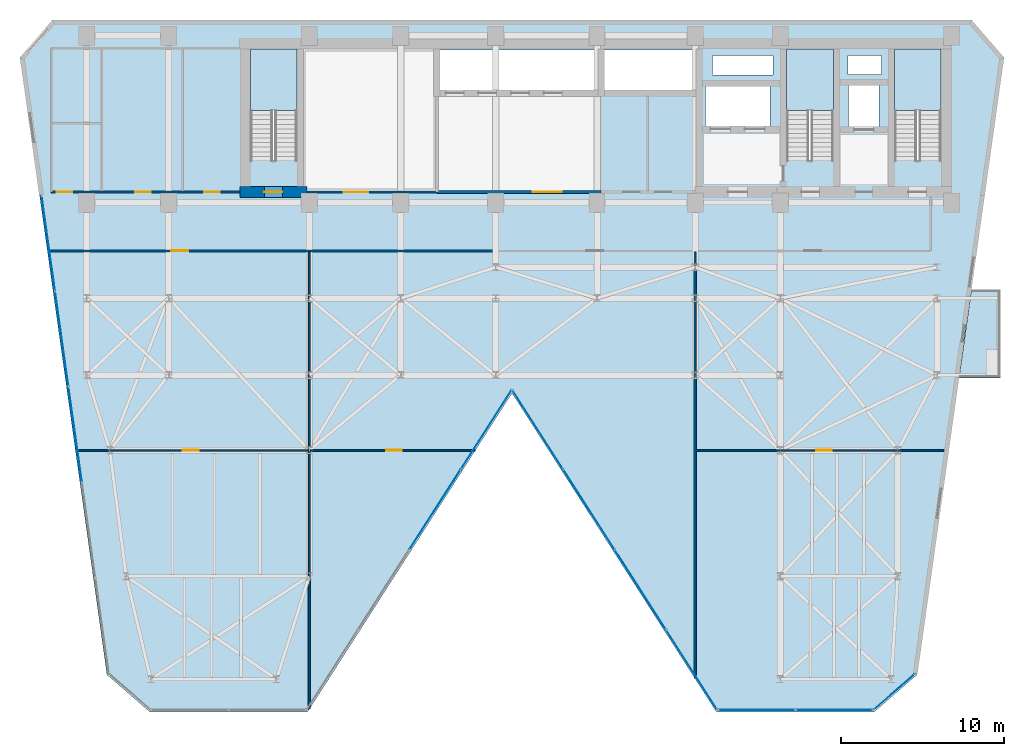
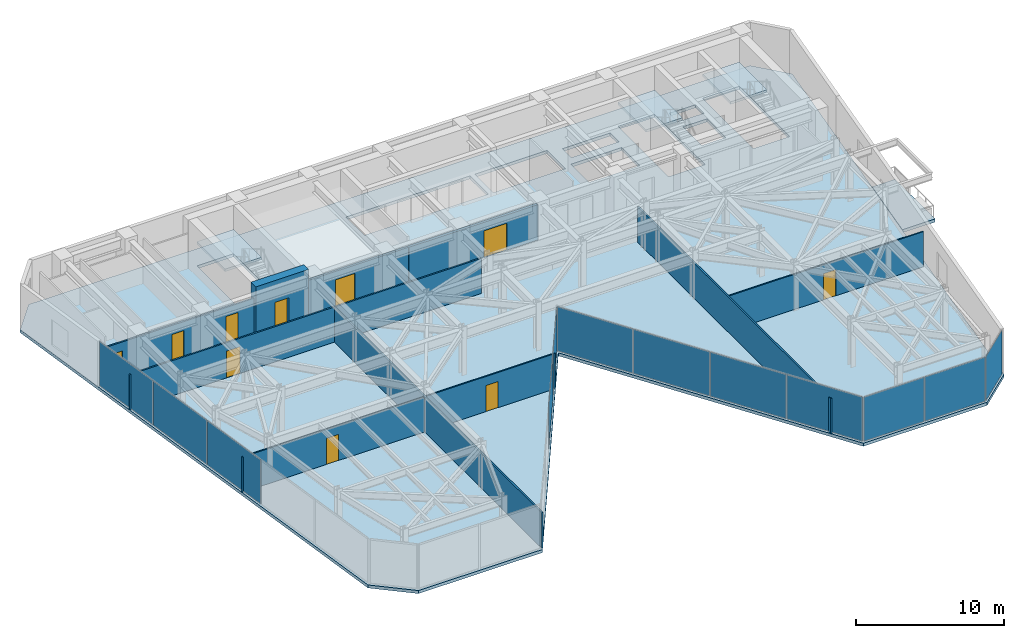
# One storey, part 21 of 26: 12 plates, 10 doors, 10 walls, 5 slabs, 10 openings, 8 elements without a shape of their own.
"""IFC4 building model written with IfcOpenShell, lengths in metres."""

from ifc_helpers import new_model, si_unit, direction, frame, frame_2d, origin, origin_2d, place, context, subcontext, project, spatial, polyline, rectangle, outline, extrude, material, layer, layer_set, type_object, element, fill, aggregate, save


model = new_model("IFC4")

# Units and contexts
model_context = context("Model", 3, precision=1e-05, world=origin(), true_north=direction((0.0, 1.0)))
body_context = subcontext(model_context, "Body", "Model", "MODEL_VIEW")
ifc_project = project(units=[si_unit("LENGTHUNIT", "METRE"), si_unit("AREAUNIT", "SQUARE_METRE"), si_unit("VOLUMEUNIT", "CUBIC_METRE"), si_unit("PLANEANGLEUNIT", "RADIAN"), si_unit("MASSUNIT", "GRAM", prefix="KILO")], contexts=[model_context])

# Site, building, storey
site_placement = place(None, origin())
site = spatial("IfcSite", under=ifc_project, at=site_placement, CompositionType="ELEMENT")
building_placement = place(site_placement, origin())
building = spatial("IfcBuilding", under=site, at=building_placement, Name="Kravanh Interchange Tower", CompositionType="ELEMENT")
storey_placement = place(building_placement, frame((0.0, 0.0, 144.0)))
storey = spatial("IfcBuildingStorey", under=building, at=storey_placement, Name="L34", CompositionType="ELEMENT", Elevation=144.0)

# Slab
ifc_material_1 = material(Name="Concrete C50/60", Category="concrete")
ifc_layer_1 = layer(ifc_material_1, 0.25)
ifc_layer_set_1 = layer_set([ifc_layer_1], Name="Composite Floor Slab Concrete C50/60 250mm")
slab_type_1 = type_object("IfcSlabType", Name="Composite Floor Slab Concrete C50/60 250mm", PredefinedType="FLOOR", material=ifc_layer_set_1)
slab_1_placement = place(storey_placement, frame((0.0, 0.0, -0.25)))
element("IfcSlab", 1, at=slab_1_placement, inside=storey, type_object=slab_type_1, Name="L34 Structural Floor Slab", PredefinedType="FLOOR", context=body_context, shape_type="SweptSolid", body=[
    extrude(outline(polyline([(14.82470703125, 8.4775390625), (17.44482421875, 6.199951171875), (27.10009765625, 6.199951171875), (39.60009765625, 25.699951171875), (52.10009765625, 6.199951171875), (61.755126953125, 6.199951171875), (64.375244140625, 8.4775390625), (69.679931640625, 46.222412109375), (67.699951171875, 48.5), (11.5, 48.5), (9.52001953125, 46.222412109375), (14.82470703125, 8.4775390625)]), holes=[polyline([(65.85009765625, 39.925048828125), (65.85009765625, 46.75), (63.0, 46.75), (63.0, 39.925048828125), (65.85009765625, 39.925048828125)]), polyline([(59.25, 39.925048828125), (59.25, 46.75), (56.39990234375, 46.75), (56.39990234375, 39.925048828125), (59.25, 39.925048828125)]), polyline([(26.449951171875, 39.925048828125), (26.449951171875, 46.75), (23.60009765625, 46.75), (23.60009765625, 39.925048828125), (26.449951171875, 39.925048828125)]), polyline([(35.179931640625, 44.219970703125), (44.840087890625, 44.219970703125), (44.840087890625, 46.699951171875), (35.179931640625, 46.699951171875), (35.179931640625, 44.219970703125)]), polyline([(45.239990234375, 44.219970703125), (50.840087890625, 44.219970703125), (50.840087890625, 46.699951171875), (45.239990234375, 46.699951171875), (45.239990234375, 44.219970703125)]), polyline([(51.419921875, 42.02001953125), (55.3798828125, 42.02001953125), (55.3798828125, 44.47998046875), (51.419921875, 44.47998046875), (51.419921875, 42.02001953125)]), polyline([(60.179931640625, 41.97998046875), (62.06005859375, 41.97998046875), (62.06005859375, 44.52001953125), (60.179931640625, 44.52001953125), (60.179931640625, 41.97998046875)]), polyline([(60.14990234375, 45.199951171875), (62.199951171875, 45.199951171875), (62.199951171875, 46.35009765625), (60.14990234375, 46.35009765625), (60.14990234375, 45.199951171875)]), polyline([(51.85009765625, 45.14990234375), (55.550048828125, 45.14990234375), (55.550048828125, 46.35009765625), (51.85009765625, 46.35009765625), (51.85009765625, 45.14990234375)])]), origin(), (0.0, 0.0, 1.0), 0.25),
])

# Stair, slab
ifc_material_2 = material(Name="Concrete C50/60", Category="concrete")
stair_type = type_object("IfcStairType", Name="Core Fire Exit Dogleg Stair Concrete C50/60", PredefinedType="HALF_TURN_STAIR", material=ifc_material_2)
stair_1_placement = place(storey_placement, origin())
stair_1 = element("IfcStair", 2, at=stair_1_placement, inside=storey, type_object=stair_type, Name="L34 Exit Stair ST1", PredefinedType="HALF_TURN_STAIR")
ifc_material_3 = material(Name="Concrete C50/60", Category="concrete")
ifc_layer_2 = layer(ifc_material_3, 0.199951171875)
ifc_layer_set_2 = layer_set([ifc_layer_2], Name="Concrete C50/60 Stair Half-Landing Slab 200mm")
slab_type_2 = type_object("IfcSlabType", Name="Concrete C50/60 Stair Half-Landing Slab 200mm", PredefinedType="LANDING", material=ifc_layer_set_2)
slab_2_placement = place(storey_placement, frame((0.0, 0.0, 1.800048828125)))
slab_2 = element("IfcSlab", 3, at=slab_2_placement, type_object=slab_type_2, Name="ST1 landing 1", PredefinedType="LANDING", context=body_context, shape_type="SweptSolid", body=[
    extrude(outline(polyline([(65.85009765625, 42.97998046875), (65.85009765625, 46.75), (63.0, 46.75), (63.0, 42.97998046875), (65.85009765625, 42.97998046875)])), origin(), (0.0, 0.0, 1.0), 0.199951171875),
])
aggregate(stair_1, [slab_2])

stair_2_placement = place(storey_placement, origin())
stair_2 = element("IfcStair", 4, at=stair_2_placement, inside=storey, type_object=stair_type, Name="L34 Exit Stair ST2", PredefinedType="HALF_TURN_STAIR")
slab_3_placement = place(storey_placement, frame((0.0, 0.0, 1.800048828125)))
slab_3 = element("IfcSlab", 5, at=slab_3_placement, type_object=slab_type_2, Name="ST2 landing 1", PredefinedType="LANDING", context=body_context, shape_type="SweptSolid", body=[
    extrude(outline(polyline([(59.25, 42.97998046875), (59.25, 46.75), (56.39990234375, 46.75), (56.39990234375, 42.97998046875), (59.25, 42.97998046875)])), origin(), (0.0, 0.0, 1.0), 0.199951171875),
])
aggregate(stair_2, [slab_3])

stair_3_placement = place(storey_placement, origin())
stair_3 = element("IfcStair", 6, at=stair_3_placement, inside=storey, type_object=stair_type, Name="L34 Exit Stair ST3", PredefinedType="HALF_TURN_STAIR")
slab_4_placement = place(storey_placement, frame((0.0, 0.0, 1.800048828125)))
slab_4 = element("IfcSlab", 7, at=slab_4_placement, type_object=slab_type_2, Name="ST3 landing 1", PredefinedType="LANDING", context=body_context, shape_type="SweptSolid", body=[
    extrude(outline(polyline([(26.449951171875, 42.97998046875), (26.449951171875, 46.75), (23.60009765625, 46.75), (23.60009765625, 42.97998046875), (26.449951171875, 42.97998046875)])), origin(), (0.0, 0.0, 1.0), 0.199951171875),
])
aggregate(stair_3, [slab_4])

# Slab
ifc_material_4 = material(Name="Concrete C50/60", Category="concrete")
ifc_layer_3 = layer(ifc_material_4, 0.199951171875)
ifc_layer_set_3 = layer_set([ifc_layer_3], Name="Planted Tree Balcony Slab Concrete C50/60 200mm")
slab_type_3 = type_object("IfcSlabType", Name="Planted Tree Balcony Slab Concrete C50/60 200mm", PredefinedType="USERDEFINED", material=ifc_layer_set_3)
slab_5_placement = place(storey_placement, frame((0.0, 0.0, -0.25)))
element("IfcSlab", 8, at=slab_5_placement, inside=storey, type_object=slab_type_3, Name="L34 East Tree Planter Balcony Slab", ObjectType="BALCONY", PredefinedType="USERDEFINED", context=body_context, shape_type="SweptSolid", body=[
    extrude(outline(polyline([(69.489990234375, 32.030029296875), (69.489990234375, 26.6298828125), (66.94140625, 26.6298828125), (67.700439453125, 32.030029296875), (69.489990234375, 32.030029296875)])), origin(), (0.0, 0.0, 1.0), 0.25),
])

# Curtain wall, plates
ifc_material_5 = material(Name="Anodised Bronze Aluminium", Category="aluminium")
ifc_layer_4 = layer(ifc_material_5, 0.179931640625)
ifc_layer_set_4 = layer_set([ifc_layer_4], Name="Unitised Curtain Wall System CW-Z2 Mid Office")
curtain_wall_type = type_object("IfcCurtainWallType", Name="Unitised Curtain Wall System CW-Z2 Mid Office", PredefinedType="NOTDEFINED", material=ifc_layer_set_4)
curtain_wall_1_placement = place(storey_placement, origin())
curtain_wall_1 = element("IfcCurtainWall", 9, at=curtain_wall_1_placement, inside=storey, type_object=curtain_wall_type, Name="L34 Unitised Curtain Wall CW-L34-01", PredefinedType="NOTDEFINED")
ifc_material_6 = material(Name="Low-E Laminated Architectural Glass", Category="glass")
ifc_layer_5 = layer(ifc_material_6, 0.02587890625)
ifc_layer_set_5 = layer_set([ifc_layer_5], Name="Solar-Control Double Glazing 26mm")
plate_type = type_object("IfcPlateType", Name="Solar-Control Double Glazing 26mm", PredefinedType="CURTAIN_PANEL", material=ifc_layer_set_5)
plate_1_placement = place(storey_placement, frame((12.881103515625, 23.16943359375, 0.06005859375), z_axis=(0.0, 0.0, 1.0), x_axis=(-0.13917285118, 0.990268103846, 0.0)))
plate_1 = element("IfcPlate", 10, at=plate_1_placement, type_object=plate_type, Name="CW-Z2 panel 3.1", PredefinedType="CURTAIN_PANEL", context=body_context, shape_type="SweptSolid", body=[
    extrude(rectangle(XDim=5.849853515625, YDim=0.02587890625, at=origin_2d()), origin(), (0.0, 0.0, 1.0), 3.6298828125),
])
plate_2_placement = place(storey_placement, frame((12.058837890625, 29.021728515625, 0.06005859375), z_axis=(0.0, 0.0, 1.0), x_axis=(-0.13917285118, 0.990268103846, 0.0)))
plate_2 = element("IfcPlate", 11, at=plate_2_placement, type_object=plate_type, Name="CW-Z2 panel 4.1", PredefinedType="CURTAIN_PANEL", context=body_context, shape_type="SweptSolid", body=[
    extrude(rectangle(XDim=5.849853515625, YDim=0.02587890625, at=origin_2d()), origin(), (0.0, 0.0, 1.0), 3.6298828125),
])
plate_3_placement = place(storey_placement, frame((11.23828125, 34.859130859375, 0.06005859375), z_axis=(0.0, 0.0, 1.0), x_axis=(-0.13917285118, 0.990268103846, 0.0)))
plate_3 = element("IfcPlate", 12, at=plate_3_placement, type_object=plate_type, Name="CW-Z2 panel 5.1", PredefinedType="CURTAIN_PANEL", context=body_context, shape_type="SweptSolid", body=[
    extrude(rectangle(XDim=5.81982421875, YDim=0.02587890625, at=origin_2d()), origin(), (0.0, 0.0, 1.0), 3.6298828125),
])
aggregate(curtain_wall_1, [plate_1, plate_2, plate_3])

# Curtain wall, plate
curtain_wall_2_placement = place(storey_placement, origin())
curtain_wall_2 = element("IfcCurtainWall", 13, at=curtain_wall_2_placement, inside=storey, type_object=curtain_wall_type, Name="L34 Unitised Curtain Wall CW-L34-02", PredefinedType="NOTDEFINED")
plate_4_placement = place(storey_placement, frame((62.986328125, 7.429443359375, 0.06005859375), z_axis=(0.0, 0.0, 1.0), x_axis=(-0.754719458103, -0.656047665617, 0.0)))
plate_4 = element("IfcPlate", 14, at=plate_4_placement, type_object=plate_type, Name="CW-Z2 panel 1.1", PredefinedType="CURTAIN_PANEL", context=body_context, shape_type="SweptSolid", body=[
    extrude(rectangle(XDim=3.261962890625, YDim=0.02587890625, at=origin_2d()), origin(), (0.0, 0.0, 1.0), 3.6298828125),
])
aggregate(curtain_wall_2, [plate_4])

# Curtain wall, plates
curtain_wall_3_placement = place(storey_placement, origin())
curtain_wall_3 = element("IfcCurtainWall", 15, at=curtain_wall_3_placement, inside=storey, type_object=curtain_wall_type, Name="L34 Unitised Curtain Wall CW-L34-03", PredefinedType="NOTDEFINED")
plate_5_placement = place(storey_placement, frame((59.30908203125, 6.320068359375, 0.06005859375), z_axis=(0.0, 0.0, 1.0), x_axis=(-1.0, 0.0, 0.0)))
plate_5 = element("IfcPlate", 16, at=plate_5_placement, type_object=plate_type, Name="CW-Z2 panel 1.1", PredefinedType="CURTAIN_PANEL", context=body_context, shape_type="SweptSolid", body=[
    extrude(rectangle(XDim=4.682373046875, YDim=0.02587890625, at=origin_2d()), origin(), (0.0, 0.0, 1.0), 3.6298828125),
])
plate_6_placement = place(storey_placement, frame((54.566650390625, 6.320068359375, 0.06005859375), z_axis=(0.0, 0.0, 1.0), x_axis=(-1.0, 0.0, 0.0)))
plate_6 = element("IfcPlate", 17, at=plate_6_placement, type_object=plate_type, Name="CW-Z2 panel 2.1", PredefinedType="CURTAIN_PANEL", context=body_context, shape_type="SweptSolid", body=[
    extrude(rectangle(XDim=4.682373046875, YDim=0.02587890625, at=origin_2d()), origin(), (0.0, 0.0, 1.0), 3.6298828125),
])
aggregate(curtain_wall_3, [plate_5, plate_6])

curtain_wall_4_placement = place(storey_placement, origin())
curtain_wall_4 = element("IfcCurtainWall", 18, at=curtain_wall_4_placement, inside=storey, type_object=curtain_wall_type, Name="L34 Unitised Curtain Wall CW-L34-04", PredefinedType="NOTDEFINED")
plate_7_placement = place(storey_placement, frame((50.5869140625, 8.782958984375, 0.06005859375), z_axis=(0.0, 0.0, 1.0), x_axis=(-0.539664865919, 0.841879939476, 0.0)))
plate_7 = element("IfcPlate", 19, at=plate_7_placement, type_object=plate_type, Name="CW-Z2 panel 1.1", PredefinedType="CURTAIN_PANEL", context=body_context, shape_type="SweptSolid", body=[
    extrude(rectangle(XDim=5.73095703125, YDim=0.02587890625, at=origin_2d()), origin(), (0.0, 0.0, 1.0), 3.6298828125),
])
plate_8_placement = place(storey_placement, frame((47.45361328125, 13.6708984375, 0.06005859375), z_axis=(0.0, 0.0, 1.0), x_axis=(-0.539664865919, 0.841879939476, 0.0)))
plate_8 = element("IfcPlate", 20, at=plate_8_placement, type_object=plate_type, Name="CW-Z2 panel 2.1", PredefinedType="CURTAIN_PANEL", context=body_context, shape_type="SweptSolid", body=[
    extrude(rectangle(XDim=5.760986328125, YDim=0.02587890625, at=origin_2d()), origin(), (0.0, 0.0, 1.0), 3.6298828125),
])
plate_9_placement = place(storey_placement, frame((44.31201171875, 18.571533203125, 0.06005859375), z_axis=(0.0, 0.0, 1.0), x_axis=(-0.539664865919, 0.841879939476, 0.0)))
plate_9 = element("IfcPlate", 21, at=plate_9_placement, type_object=plate_type, Name="CW-Z2 panel 3.1", PredefinedType="CURTAIN_PANEL", context=body_context, shape_type="SweptSolid", body=[
    extrude(rectangle(XDim=5.760986328125, YDim=0.02587890625, at=origin_2d()), origin(), (0.0, 0.0, 1.0), 3.6298828125),
])
plate_10_placement = place(storey_placement, frame((41.1787109375, 23.45947265625, 0.06005859375), z_axis=(0.0, 0.0, 1.0), x_axis=(-0.539664865919, 0.841879939476, 0.0)))
plate_10 = element("IfcPlate", 22, at=plate_10_placement, type_object=plate_type, Name="CW-Z2 panel 4.1", PredefinedType="CURTAIN_PANEL", context=body_context, shape_type="SweptSolid", body=[
    extrude(rectangle(XDim=5.73095703125, YDim=0.02587890625, at=origin_2d()), origin(), (0.0, 0.0, 1.0), 3.6298828125),
])
aggregate(curtain_wall_4, [plate_7, plate_8, plate_9, plate_10])

curtain_wall_5_placement = place(storey_placement, origin())
curtain_wall_5 = element("IfcCurtainWall", 23, at=curtain_wall_5_placement, inside=storey, type_object=curtain_wall_type, Name="L34 Unitised Curtain Wall CW-L34-05", PredefinedType="NOTDEFINED")
plate_11_placement = place(storey_placement, frame((38.021240234375, 23.45947265625, 0.06005859375), z_axis=(0.0, 0.0, 1.0), x_axis=(-0.539664865919, -0.841879939476, 0.0)))
plate_11 = element("IfcPlate", 24, at=plate_11_placement, type_object=plate_type, Name="CW-Z2 panel 1.1", PredefinedType="CURTAIN_PANEL", context=body_context, shape_type="SweptSolid", body=[
    extrude(rectangle(XDim=5.73095703125, YDim=0.02587890625, at=origin_2d()), origin(), (0.0, 0.0, 1.0), 3.6298828125),
])
plate_12_placement = place(storey_placement, frame((34.887939453125, 18.571533203125, 0.06005859375), z_axis=(0.0, 0.0, 1.0), x_axis=(-0.539664865919, -0.841879939476, 0.0)))
plate_12 = element("IfcPlate", 25, at=plate_12_placement, type_object=plate_type, Name="CW-Z2 panel 2.1", PredefinedType="CURTAIN_PANEL", context=body_context, shape_type="SweptSolid", body=[
    extrude(rectangle(XDim=5.760986328125, YDim=0.02587890625, at=origin_2d()), origin(), (0.0, 0.0, 1.0), 3.6298828125),
])
aggregate(curtain_wall_5, [plate_11, plate_12])

# Wall, openings, doors
ifc_material_7 = material(Name="Double Acoustic Gypsum Board and Mineral Wool")
ifc_layer_6 = layer(ifc_material_7, 0.1201171875)
ifc_layer_set_6 = layer_set([ifc_layer_6], Name="Acoustic Office Drywall Partition 120mm")
wall_type_1 = type_object("IfcWallType", Name="Acoustic Office Drywall Partition 120mm", PredefinedType="PARTITIONING", material=ifc_layer_set_6)
wall_1_placement = place(storey_placement, frame((11.419921875, 38.0, 0.0), z_axis=(0.0, 0.0, 1.0), x_axis=(1.0, 0.0, 0.0)))
wall_1 = element("IfcWall", 26, at=wall_1_placement, inside=storey, type_object=wall_type_1, Name="L34 Restroom Corridor Wall 6", PredefinedType="PARTITIONING", context=body_context, shape_type="SweptSolid", body=[
    extrude(rectangle(XDim=11.530029296875, YDim=0.1201171875, at=frame_2d((5.76513671875, 0.0))), origin(), (0.0, 0.0, 1.0), 2.89404296875),
])
opening_1_placement = place(wall_1_placement, frame((0.3427734375, 0.0, 0.0)))
opening_1 = element("IfcOpeningElement", 27, at=opening_1_placement, cuts=wall_1, Name="Opening D-95", PredefinedType="OPENING", context=body_context, shape_type="SweptSolid", body=[
    extrude(rectangle(XDim=0.949951171875, YDim=2.14990234375, at=frame_2d((0.47509765625, 1.074951171875))), frame((0.0, 0.070068359375, 0.0), z_axis=(0.0, -1.0, 0.0), x_axis=(1.0, 0.0, 0.0)), (0.0, 0.0, 1.0), 0.14013671875),
])
opening_2_placement = place(wall_1_placement, frame((5.130126953125, 0.0, 0.0)))
opening_2 = element("IfcOpeningElement", 28, at=opening_2_placement, cuts=wall_1, Name="Opening D-95", PredefinedType="OPENING", context=body_context, shape_type="SweptSolid", body=[
    extrude(rectangle(XDim=0.949951171875, YDim=2.14990234375, at=frame_2d((0.47509765625, 1.074951171875))), frame((0.0, 0.070068359375, 0.0), z_axis=(0.0, -1.0, 0.0), x_axis=(1.0, 0.0, 0.0)), (0.0, 0.0, 1.0), 0.14013671875),
])
opening_3_placement = place(wall_1_placement, frame((9.344970703125, 0.0, 0.0)))
opening_3 = element("IfcOpeningElement", 29, at=opening_3_placement, cuts=wall_1, Name="Opening D-95", PredefinedType="OPENING", context=body_context, shape_type="SweptSolid", body=[
    extrude(rectangle(XDim=0.949951171875, YDim=2.14990234375, at=frame_2d((0.47509765625, 1.074951171875))), frame((0.0, 0.070068359375, 0.0), z_axis=(0.0, -1.0, 0.0), x_axis=(1.0, 0.0, 0.0)), (0.0, 0.0, 1.0), 0.14013671875),
])
ifc_material_8 = material(Name="Laminate Solid-Core Timber", Category="wood")
door_type_1 = type_object("IfcDoorType", Name="Accessible Restroom Door 950x2150", OperationType="NOTDEFINED", PredefinedType="DOOR", material=ifc_material_8)
door_1_placement = place(opening_1_placement, origin())
door_1 = element("IfcDoor", 30, at=door_1_placement, inside=storey, type_object=door_type_1, Name="L34 Accessible WC Door", OperationType="SINGLE_SWING_RIGHT", OverallHeight=2.14990234375, OverallWidth=0.949951171875, PredefinedType="DOOR", context=body_context, shape_type="SweptSolid", body=[
    extrude(rectangle(XDim=0.949951171875, YDim=2.14990234375, at=frame_2d((0.47509765625, 1.074951171875))), frame((0.0, 0.02490234375, 0.0), z_axis=(0.0, -1.0, 0.0), x_axis=(1.0, 0.0, 0.0)), (0.0, 0.0, 1.0), 0.050048828125),
])
fill(opening_1, door_1)
door_2_placement = place(opening_2_placement, origin())
door_2 = element("IfcDoor", 31, at=door_2_placement, inside=storey, type_object=door_type_1, Name="L34 Female WC Door", OperationType="SINGLE_SWING_LEFT", OverallHeight=2.14990234375, OverallWidth=0.949951171875, PredefinedType="DOOR", context=body_context, shape_type="SweptSolid", body=[
    extrude(rectangle(XDim=0.949951171875, YDim=2.14990234375, at=frame_2d((0.47509765625, 1.074951171875))), frame((0.0, 0.02490234375, 0.0), z_axis=(0.0, -1.0, 0.0), x_axis=(1.0, 0.0, 0.0)), (0.0, 0.0, 1.0), 0.050048828125),
])
fill(opening_2, door_2)
door_3_placement = place(opening_3_placement, origin())
door_3 = element("IfcDoor", 32, at=door_3_placement, inside=storey, type_object=door_type_1, Name="L34 Male WC Door", OperationType="SINGLE_SWING_RIGHT", OverallHeight=2.14990234375, OverallWidth=0.949951171875, PredefinedType="DOOR", context=body_context, shape_type="SweptSolid", body=[
    extrude(rectangle(XDim=0.949951171875, YDim=2.14990234375, at=frame_2d((0.47509765625, 1.074951171875))), frame((0.0, 0.02490234375, 0.0), z_axis=(0.0, -1.0, 0.0), x_axis=(1.0, 0.0, 0.0)), (0.0, 0.0, 1.0), 0.050048828125),
])
fill(opening_3, door_3)

# Wall, opening, door
wall_2_placement = place(storey_placement, frame((11.19677734375, 34.39990234375, 0.0), z_axis=(0.0, 0.0, 1.0), x_axis=(1.0, 0.0, 0.0)))
wall_2 = element("IfcWall", 33, at=wall_2_placement, inside=storey, type_object=wall_type_1, Name="L34 Interior Partition 12", PredefinedType="PARTITIONING", context=body_context, shape_type="SweptSolid", body=[
    extrude(rectangle(XDim=27.4033203125, YDim=0.1201171875, at=frame_2d((13.70166015625, 0.0))), origin(), (0.0, 0.0, 1.0), 2.89404296875),
])
opening_4_placement = place(wall_2_placement, frame((7.548095703125, 0.0, 0.0)))
opening_4 = element("IfcOpeningElement", 34, at=opening_4_placement, cuts=wall_2, Name="Opening D-105", PredefinedType="OPENING", context=body_context, shape_type="SweptSolid", body=[
    extrude(rectangle(XDim=1.050048828125, YDim=2.199951171875, at=frame_2d((0.52490234375, 1.10009765625))), frame((0.0, 0.070068359375, 0.0), z_axis=(0.0, -1.0, 0.0), x_axis=(1.0, 0.0, 0.0)), (0.0, 0.0, 1.0), 0.14013671875),
])
ifc_material_9 = material(Name="Acoustic Glazed Oak and Aluminium", Category="aluminium")
door_type_2 = type_object("IfcDoorType", Name="Office Workplace Door 1050x2200", OperationType="NOTDEFINED", PredefinedType="DOOR", material=ifc_material_9)
door_4_placement = place(opening_4_placement, origin())
door_4 = element("IfcDoor", 35, at=door_4_placement, inside=storey, type_object=door_type_2, Name="L34 West Registry Archive Store 6A Door", OperationType="SINGLE_SWING_LEFT", OverallHeight=2.199951171875, OverallWidth=1.050048828125, PredefinedType="DOOR", context=body_context, shape_type="SweptSolid", body=[
    extrude(rectangle(XDim=1.050048828125, YDim=2.199951171875, at=frame_2d((0.52490234375, 1.10009765625))), frame((0.0, 0.02490234375, 0.0), z_axis=(0.0, -1.0, 0.0), x_axis=(1.0, 0.0, 0.0)), (0.0, 0.0, 1.0), 0.050048828125),
])
fill(opening_4, door_4)

# Walls
wall_3_placement = place(storey_placement, frame((27.199951171875, 6.3837890625, 0.0), z_axis=(0.0, 0.0, 1.0), x_axis=(0.0, 1.0, 0.0)))
element("IfcWall", 36, at=wall_3_placement, inside=storey, type_object=wall_type_1, Name="L34 Interior Partition 16", PredefinedType="PARTITIONING", context=body_context, shape_type="SweptSolid", body=[
    extrude(rectangle(XDim=27.9482421875, YDim=0.1201171875, at=frame_2d((13.97412109375, 0.0))), origin(), (0.0, 0.0, 1.0), 2.89404296875),
])
wall_4_placement = place(storey_placement, frame((50.800048828125, 8.255859375, 0.0), z_axis=(0.0, 0.0, 1.0), x_axis=(0.0, 1.0, 0.0)))
element("IfcWall", 37, at=wall_4_placement, inside=storey, type_object=wall_type_1, Name="L34 Interior Partition 18", PredefinedType="PARTITIONING", context=body_context, shape_type="SweptSolid", body=[
    extrude(rectangle(XDim=26.076171875, YDim=0.1201171875, at=frame_2d((13.0380859375, 0.0))), origin(), (0.0, 0.0, 1.0), 2.89404296875),
])

# Wall, opening, door
ifc_material_10 = material(Name="Concrete C70/85", Category="concrete")
ifc_layer_7 = layer(ifc_material_10, 0.64990234375)
ifc_layer_set_7 = layer_set([ifc_layer_7], Name="Core Shear Wall Concrete C70/85 650mm")
wall_type_2 = type_object("IfcWallType", Name="Core Shear Wall Concrete C70/85 650mm", PredefinedType="SHEAR", material=ifc_layer_set_7)
wall_5_placement = place(storey_placement, frame((22.949951171875, 38.0, 0.0), z_axis=(0.0, 0.0, 1.0), x_axis=(1.0, 0.0, 0.0)))
wall_5 = element("IfcWall", 38, at=wall_5_placement, inside=storey, type_object=wall_type_2, Name="L34 Stair ST3 South Shear Wall", PredefinedType="SHEAR", context=body_context, shape_type="SweptSolid", body=[
    extrude(rectangle(XDim=4.10009765625, YDim=0.64990234375, at=frame_2d((2.050048828125, 0.0))), origin(), (0.0, 0.0, 1.0), 4.0),
])
opening_5_placement = place(wall_5_placement, frame((1.5, 0.0, 0.0)))
opening_5 = element("IfcOpeningElement", 39, at=opening_5_placement, cuts=wall_5, Name="Opening D-STAIR-110", PredefinedType="OPENING", context=body_context, shape_type="SweptSolid", body=[
    extrude(rectangle(XDim=1.10009765625, YDim=2.199951171875, at=frame_2d((0.550048828125, 1.10009765625))), frame((0.0, 0.3349609375, 0.0), z_axis=(0.0, -1.0, 0.0), x_axis=(1.0, 0.0, 0.0)), (0.0, 0.0, 1.0), 0.669921875),
])
ifc_material_11 = material(Name="Structural Steel S355", Category="steel")
door_type_3 = type_object("IfcDoorType", Name="Fire-Rated Exit Stair Door 1100x2200", OperationType="NOTDEFINED", PredefinedType="DOOR", material=ifc_material_11)
door_5_placement = place(opening_5_placement, origin())
door_5 = element("IfcDoor", 40, at=door_5_placement, inside=storey, type_object=door_type_3, Name="L34 Exit Stair ST3 Door", OperationType="SINGLE_SWING_RIGHT", OverallHeight=2.199951171875, OverallWidth=1.10009765625, PredefinedType="DOOR", context=body_context, shape_type="SweptSolid", body=[
    extrude(rectangle(XDim=1.10009765625, YDim=2.199951171875, at=frame_2d((0.550048828125, 1.10009765625))), frame((0.0, 0.02490234375, 0.0), z_axis=(0.0, -1.0, 0.0), x_axis=(1.0, 0.0, 0.0)), (0.0, 0.0, 1.0), 0.050048828125),
])
fill(opening_5, door_5)

ifc_material_12 = material(Name="Moisture-Resistant Gypsum Board and Mineral Wool")
ifc_layer_8 = layer(ifc_material_12, 0.10009765625)
ifc_layer_set_8 = layer_set([ifc_layer_8], Name="En-Suite Moisture-Resistant Partition 100mm")
wall_type_3 = type_object("IfcWallType", Name="En-Suite Moisture-Resistant Partition 100mm", PredefinedType="PARTITIONING", material=ifc_layer_set_8)
wall_6_placement = place(storey_placement, frame((12.911376953125, 22.199951171875, 0.0), z_axis=(0.0, 0.0, 1.0), x_axis=(1.0, 0.0, 0.0)))
wall_6 = element("IfcWall", 41, at=wall_6_placement, inside=storey, type_object=wall_type_3, Name="L34 Interior Partition 15", PredefinedType="PARTITIONING", context=body_context, shape_type="SweptSolid", body=[
    extrude(rectangle(XDim=14.220703125, YDim=0.10009765625, at=frame_2d((7.1103515625, 0.0))), origin(), (0.0, 0.0, 1.0), 2.89404296875),
])
opening_6_placement = place(wall_6_placement, frame((6.564208984375, 0.0, 0.0)))
opening_6 = element("IfcOpeningElement", 42, at=opening_6_placement, cuts=wall_6, Name="Opening D-95", PredefinedType="OPENING", context=body_context, shape_type="SweptSolid", body=[
    extrude(rectangle(XDim=0.949951171875, YDim=2.14990234375, at=frame_2d((0.47509765625, 1.074951171875))), frame((0.0, 0.06005859375, 0.0), z_axis=(0.0, -1.0, 0.0), x_axis=(1.0, 0.0, 0.0)), (0.0, 0.0, 1.0), 0.1201171875),
])
door_6_placement = place(opening_6_placement, origin())
door_6 = element("IfcDoor", 43, at=door_6_placement, inside=storey, type_object=door_type_1, Name="L34 SW Patent Archive Store 6D Inner Door", OperationType="SINGLE_SWING_RIGHT", OverallHeight=2.14990234375, OverallWidth=0.949951171875, PredefinedType="DOOR", context=body_context, shape_type="SweptSolid", body=[
    extrude(rectangle(XDim=0.949951171875, YDim=2.14990234375, at=frame_2d((0.47509765625, 1.074951171875))), frame((0.0, 0.02490234375, 0.0), z_axis=(0.0, -1.0, 0.0), x_axis=(1.0, 0.0, 0.0)), (0.0, 0.0, 1.0), 0.050048828125),
])
fill(opening_6, door_6)

wall_7_placement = place(storey_placement, frame((27.26806640625, 22.199951171875, 0.0), z_axis=(0.0, 0.0, 1.0), x_axis=(1.0, 0.0, 0.0)))
wall_7 = element("IfcWall", 44, at=wall_7_placement, inside=storey, type_object=wall_type_3, Name="L34 Interior Partition 17", PredefinedType="PARTITIONING", context=body_context, shape_type="SweptSolid", body=[
    extrude(rectangle(XDim=10.070556640625, YDim=0.10009765625, at=frame_2d((5.03515625, 0.0))), origin(), (0.0, 0.0, 1.0), 2.89404296875),
])
opening_7_placement = place(wall_7_placement, frame((4.631103515625, 0.0, 0.0)))
opening_7 = element("IfcOpeningElement", 45, at=opening_7_placement, cuts=wall_7, Name="Opening D-95", PredefinedType="OPENING", context=body_context, shape_type="SweptSolid", body=[
    extrude(rectangle(XDim=0.949951171875, YDim=2.14990234375, at=frame_2d((0.47509765625, 1.074951171875))), frame((0.0, 0.06005859375, 0.0), z_axis=(0.0, -1.0, 0.0), x_axis=(1.0, 0.0, 0.0)), (0.0, 0.0, 1.0), 0.1201171875),
])
door_7_placement = place(opening_7_placement, origin())
door_7 = element("IfcDoor", 46, at=door_7_placement, inside=storey, type_object=door_type_1, Name="L34 South Evidence Vault Store 6E Inner Door", OperationType="SINGLE_SWING_RIGHT", OverallHeight=2.14990234375, OverallWidth=0.949951171875, PredefinedType="DOOR", context=body_context, shape_type="SweptSolid", body=[
    extrude(rectangle(XDim=0.949951171875, YDim=2.14990234375, at=frame_2d((0.47509765625, 1.074951171875))), frame((0.0, 0.02490234375, 0.0), z_axis=(0.0, -1.0, 0.0), x_axis=(1.0, 0.0, 0.0)), (0.0, 0.0, 1.0), 0.050048828125),
])
fill(opening_7, door_7)

wall_8_placement = place(storey_placement, frame((50.867919921875, 22.199951171875, 0.0), z_axis=(0.0, 0.0, 1.0), x_axis=(1.0, 0.0, 0.0)))
wall_8 = element("IfcWall", 47, at=wall_8_placement, inside=storey, type_object=wall_type_3, Name="L34 Interior Partition 19", PredefinedType="PARTITIONING", context=body_context, shape_type="SweptSolid", body=[
    extrude(rectangle(XDim=15.14794921875, YDim=0.10009765625, at=frame_2d((7.573974609375, 0.0))), origin(), (0.0, 0.0, 1.0), 2.89404296875),
])
opening_8_placement = place(wall_8_placement, frame((7.34619140625, 0.0, 0.0)))
opening_8 = element("IfcOpeningElement", 48, at=opening_8_placement, cuts=wall_8, Name="Opening D-95", PredefinedType="OPENING", context=body_context, shape_type="SweptSolid", body=[
    extrude(rectangle(XDim=0.949951171875, YDim=2.14990234375, at=frame_2d((0.47509765625, 1.074951171875))), frame((0.0, 0.06005859375, 0.0), z_axis=(0.0, -1.0, 0.0), x_axis=(1.0, 0.0, 0.0)), (0.0, 0.0, 1.0), 0.1201171875),
])
door_8_placement = place(opening_8_placement, origin())
door_8 = element("IfcDoor", 49, at=door_8_placement, inside=storey, type_object=door_type_1, Name="L34 SE Compliance Office 6F Inner Door", OperationType="SINGLE_SWING_RIGHT", OverallHeight=2.14990234375, OverallWidth=0.949951171875, PredefinedType="DOOR", context=body_context, shape_type="SweptSolid", body=[
    extrude(rectangle(XDim=0.949951171875, YDim=2.14990234375, at=frame_2d((0.47509765625, 1.074951171875))), frame((0.0, 0.02490234375, 0.0), z_axis=(0.0, -1.0, 0.0), x_axis=(1.0, 0.0, 0.0)), (0.0, 0.0, 1.0), 0.050048828125),
])
fill(opening_8, door_8)

ifc_material_13 = material(Name="Autoclaved Aerated Concrete C30/37 Blockwork", Category="masonry")
ifc_layer_9 = layer(ifc_material_13, 0.179931640625)
ifc_layer_set_9 = layer_set([ifc_layer_9], Name="Fire-Rated Lobby and Corridor Wall Concrete C30/37 180mm")
wall_type_4 = type_object("IfcWallType", Name="Fire-Rated Lobby and Corridor Wall Concrete C30/37 180mm", PredefinedType="STANDARD", material=ifc_layer_set_9)
wall_9_placement = place(storey_placement, frame((35.0, 38.0, 0.0), z_axis=(0.0, 0.0, 1.0), x_axis=(1.0, 0.0, 0.0)))
wall_9 = element("IfcWall", 50, at=wall_9_placement, inside=storey, type_object=wall_type_4, Name="L34 Interior Partition 5", PredefinedType="STANDARD", context=body_context, shape_type="SweptSolid", body=[
    extrude(rectangle(XDim=10.050048828125, YDim=0.179931640625, at=frame_2d((5.02490234375, 0.0))), origin(), (0.0, 0.0, 1.0), 2.89404296875),
])
opening_9_placement = place(wall_9_placement, frame((5.85791015625, 0.0, 0.0)))
opening_9 = element("IfcOpeningElement", 51, at=opening_9_placement, cuts=wall_9, Name="Opening DBL-180", PredefinedType="OPENING", context=body_context, shape_type="SweptSolid", body=[
    extrude(rectangle(XDim=1.800048828125, YDim=2.199951171875, at=frame_2d((0.89990234375, 1.10009765625))), frame((0.0, 0.10009765625, 0.0), z_axis=(0.0, -1.0, 0.0), x_axis=(1.0, 0.0, 0.0)), (0.0, 0.0, 1.0), 0.199951171875),
])
ifc_material_14 = material(Name="Structural Steel S355", Category="steel")
door_type_4 = type_object("IfcDoorType", Name="Lift Lobby Double Fire Door 1800x2200", OperationType="DOUBLE_DOOR_SINGLE_SWING", PredefinedType="DOOR", material=ifc_material_14)
door_9_placement = place(opening_9_placement, origin())
door_9 = element("IfcDoor", 52, at=door_9_placement, inside=storey, type_object=door_type_4, Name="L34 Mid-Rise Lift Lobby Door", OperationType="DOUBLE_DOOR_SINGLE_SWING", OverallHeight=2.199951171875, OverallWidth=1.800048828125, PredefinedType="DOOR", context=body_context, shape_type="SweptSolid", body=[
    extrude(rectangle(XDim=1.800048828125, YDim=2.199951171875, at=frame_2d((0.89990234375, 1.10009765625))), frame((0.0, 0.02490234375, 0.0), z_axis=(0.0, -1.0, 0.0), x_axis=(1.0, 0.0, 0.0)), (0.0, 0.0, 1.0), 0.050048828125),
])
fill(opening_9, door_9)

ifc_material_15 = material(Name="Twin Stud Acoustic Gypsum Board Wall")
ifc_layer_10 = layer(ifc_material_15, 0.14990234375)
ifc_layer_set_10 = layer_set([ifc_layer_10], Name="Medium-Duty Acoustic Partition 150mm")
wall_type_5 = type_object("IfcWallType", Name="Medium-Duty Acoustic Partition 150mm", PredefinedType="PARTITIONING", material=ifc_layer_set_10)
wall_10_placement = place(storey_placement, frame((27.050048828125, 38.0, 0.0), z_axis=(0.0, 0.0, 1.0), x_axis=(1.0, 0.0, 0.0)))
wall_10 = element("IfcWall", 53, at=wall_10_placement, inside=storey, type_object=wall_type_5, Name="L34 Interior Partition 3", PredefinedType="PARTITIONING", context=body_context, shape_type="SweptSolid", body=[
    extrude(rectangle(XDim=7.949951171875, YDim=0.14990234375, at=frame_2d((3.97509765625, 0.0))), origin(), (0.0, 0.0, 1.0), 2.89404296875),
])
opening_10_placement = place(wall_10_placement, frame((2.25, 0.0, 0.0)))
opening_10 = element("IfcOpeningElement", 54, at=opening_10_placement, cuts=wall_10, Name="Opening DBL-150", PredefinedType="OPENING", context=body_context, shape_type="SweptSolid", body=[
    extrude(rectangle(XDim=1.5, YDim=2.199951171875, at=frame_2d((0.75, 1.10009765625))), frame((0.0, 0.0849609375, 0.0), z_axis=(0.0, -1.0, 0.0), x_axis=(1.0, 0.0, 0.0)), (0.0, 0.0, 1.0), 0.169921875),
])
ifc_material_16 = material(Name="Acoustic Timber and Toughened Glass", Category="wood")
door_type_5 = type_object("IfcDoorType", Name="Conference Hall Double Door 1500x2200", OperationType="DOUBLE_DOOR_SINGLE_SWING", PredefinedType="DOOR", material=ifc_material_16)
door_10_placement = place(opening_10_placement, origin())
door_10 = element("IfcDoor", 55, at=door_10_placement, inside=storey, type_object=door_type_5, Name="L34 Core Wellness Studio Door", OperationType="DOUBLE_DOOR_SINGLE_SWING", OverallHeight=2.199951171875, OverallWidth=1.5, PredefinedType="DOOR", context=body_context, shape_type="SweptSolid", body=[
    extrude(rectangle(XDim=1.5, YDim=2.199951171875, at=frame_2d((0.75, 1.10009765625))), frame((0.0, 0.02490234375, 0.0), z_axis=(0.0, -1.0, 0.0), x_axis=(1.0, 0.0, 0.0)), (0.0, 0.0, 1.0), 0.050048828125),
])
fill(opening_10, door_10)

save(model, "model.ifc")
